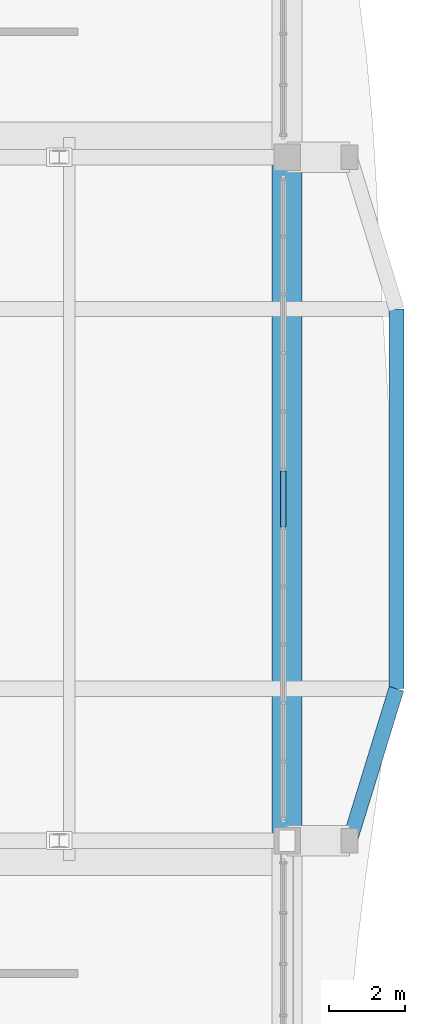
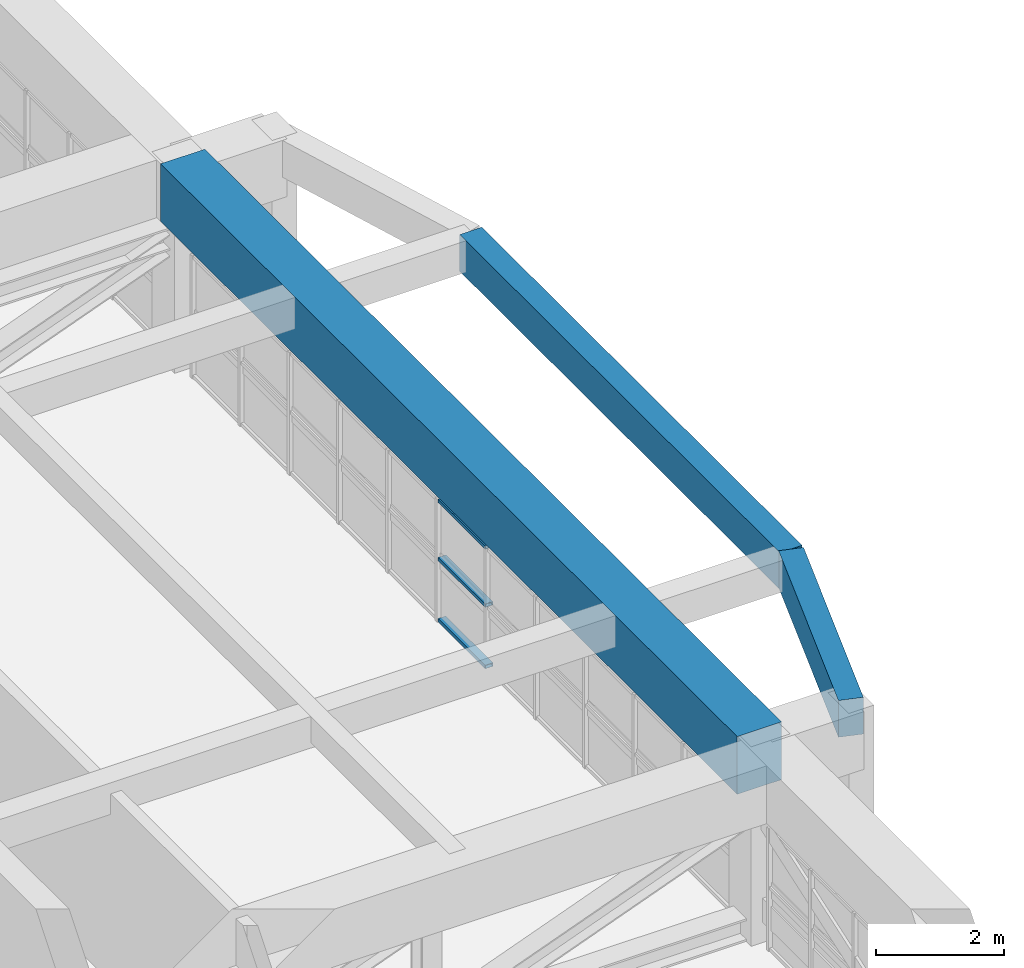
# One storey, part 13 of 25: 3 beams, 3 members, 1 element without a shape of its own.
"""IFC4 building model written with IfcOpenShell, lengths in metres."""

import ifcopenshell
import ifcopenshell.guid

model = None  # the IFC model being written
_history = None  # IfcOwnerHistory: only IFC2X3 demands one
_inside = {}  # id of a spatial element -> (the spatial element, [elements in it])
_under = {}  # id of a project, library or spatial element -> (it, [spatial elements below it])
_declared = {}  # id of a project -> (the project, [libraries it declares])
_typed = {}  # id of a type object -> (the type object, [elements of that type])
_made_of = {}  # id of a material, layer set ... -> (it, [elements and type objects made of it])


def new_model(schema):
    """Start an empty IFC model of exactly this schema.

    Asked for "IFC4X3", IfcOpenShell would pick the latest addendum, in which some entities
    have other attributes; the version numbers below select the first issue.
    IFC2X3 requires an IfcOwnerHistory on every rooted entity: one is made here for all.
    """
    global model, _history
    if schema == "IFC4X3":
        model = ifcopenshell.file(schema_version=(4, 3, 0, 0))
    else:
        model = ifcopenshell.file(schema=schema)
    _inside.clear()
    _under.clear()
    _declared.clear()
    _typed.clear()
    _made_of.clear()
    _history = None
    if model.schema == "IFC2X3":
        org = make("IfcOrganization", Name="unknown")
        user = make(
            "IfcPersonAndOrganization",
            ThePerson=make("IfcPerson", FamilyName="unknown"),
            TheOrganization=org,
        )
        app = make(
            "IfcApplication",
            ApplicationDeveloper=org,
            Version="unknown",
            ApplicationFullName="unknown",
            ApplicationIdentifier="unknown",
        )
        _history = make(
            "IfcOwnerHistory",
            OwningUser=user,
            OwningApplication=app,
            ChangeAction="ADDED",
            CreationDate=0,
        )
    return model


def make(cls, **values):
    """One entity of the class cls with the attributes given. An attribute that is None is left unset."""
    return model.create_entity(
        cls, **{name: value for name, value in values.items() if value is not None}
    )


def rooted(cls, **values):
    """An entity with a GlobalId (a new one), such as an element, a storey or a relation."""
    return make(cls, GlobalId=ifcopenshell.guid.new(), OwnerHistory=_history, **values)


def si_unit(unit_type, name, prefix=None):
    """IfcSIUnit, for example si_unit("LENGTHUNIT", "METRE", prefix="MILLI")."""
    return make("IfcSIUnit", UnitType=unit_type, Prefix=prefix, Name=name)


def assignment(units):
    """IfcUnitAssignment: the units of a project."""
    return None if units is None else make("IfcUnitAssignment", Units=units)


def point(xyz):
    """IfcCartesianPoint."""
    return None if xyz is None else make("IfcCartesianPoint", Coordinates=xyz)


def direction(xyz):
    """IfcDirection."""
    return None if xyz is None else make("IfcDirection", DirectionRatios=xyz)


def frame(location, z_axis=None, x_axis=None):
    """IfcAxis2Placement3D, a coordinate frame: its origin and axes. An axis left out is left unset."""
    return make(
        "IfcAxis2Placement3D",
        Location=point(location),
        Axis=direction(z_axis),
        RefDirection=direction(x_axis),
    )


def frame_2d(location, x_axis=None):
    """IfcAxis2Placement2D, a coordinate frame in the plane: its origin and x axis."""
    return make(
        "IfcAxis2Placement2D", Location=point(location), RefDirection=direction(x_axis)
    )


def origin():
    """The frame at (0, 0, 0) with its axes left unset."""
    return frame((0.0, 0.0, 0.0))


def origin_2d():
    """The frame at (0, 0) in the plane with its x axis left unset."""
    return frame_2d((0.0, 0.0))


def place(relative_to, where):
    """IfcLocalPlacement: puts the frame where relative to a parent placement (None: the world)."""
    return make(
        "IfcLocalPlacement", PlacementRelTo=relative_to, RelativePlacement=where
    )


def context(
    kind, dimensions, precision=None, world=None, true_north=None, identifier=None
):
    """IfcGeometricRepresentationContext, for example the 3D "Model" context."""
    return make(
        "IfcGeometricRepresentationContext",
        ContextIdentifier=identifier,
        ContextType=kind,
        CoordinateSpaceDimension=dimensions,
        Precision=precision,
        WorldCoordinateSystem=world,
        TrueNorth=true_north,
    )


def subcontext(parent, identifier, kind, view, scale=None):
    """IfcGeometricRepresentationSubContext, for example "Body" below "Model"."""
    return make(
        "IfcGeometricRepresentationSubContext",
        ContextIdentifier=identifier,
        ContextType=kind,
        ParentContext=parent,
        TargetScale=scale,
        TargetView=view,
    )


def project(units=None, contexts=None):
    """IfcProject with its units and contexts."""
    return rooted(
        "IfcProject",
        Name="project",
        RepresentationContexts=contexts,
        UnitsInContext=assignment(units),
    )


def spatial(cls, under=None, at=None, **own):
    """A site, building, storey or space (cls), placed at a placement, below another one or the project."""
    s = rooted(cls, ObjectPlacement=at, **own)
    if under is not None:
        _under.setdefault(under.id(), (under, []))[1].append(s)
    return s


def profile(cls, at=None, kind="AREA", **sizes):
    """A parametric profile (cls). Its sizes go by their IFC names, for example OverallWidth=200.0."""
    return make(cls, ProfileType=kind, Position=at, **sizes)


def rectangle(**sizes):
    """IfcRectangleProfileDef."""
    return profile("IfcRectangleProfileDef", **sizes)


def hollow_rectangle(**sizes):
    """IfcRectangleHollowProfileDef."""
    return profile("IfcRectangleHollowProfileDef", **sizes)


def extrude(swept, where, along, depth):
    """IfcExtrudedAreaSolid: the profile swept, set in the frame where, extruded along a direction by depth."""
    return make(
        "IfcExtrudedAreaSolid",
        SweptArea=swept,
        Position=where,
        ExtrudedDirection=direction(along),
        Depth=depth,
    )


def shape(context_of_items, identifier, shape_type, items):
    """IfcShapeRepresentation: the items that make up one representation, for example the "Body"."""
    return make(
        "IfcShapeRepresentation",
        ContextOfItems=context_of_items,
        RepresentationIdentifier=identifier,
        RepresentationType=shape_type,
        Items=items,
    )


def source(mapping_origin, context_of_items, identifier, shape_type, items):
    """IfcRepresentationMap: a shape defined once, which mapped items show again and again."""
    return make(
        "IfcRepresentationMap",
        MappingOrigin=mapping_origin,
        MappedRepresentation=shape(context_of_items, identifier, shape_type, items),
    )


def transform(
    local_origin,
    x_axis=None,
    y_axis=None,
    z_axis=None,
    scale=None,
    scale2=None,
    scale3=None,
    uniform=True,
):
    """IfcCartesianTransformationOperator3D, or its non-uniform kind. x_axis, y_axis, z_axis: its Axis1, 2, 3."""
    if uniform:
        return make(
            "IfcCartesianTransformationOperator3D",
            Axis1=direction(x_axis),
            Axis2=direction(y_axis),
            LocalOrigin=point(local_origin),
            Scale=scale,
            Axis3=direction(z_axis),
        )
    return make(
        "IfcCartesianTransformationOperator3DnonUniform",
        Axis1=direction(x_axis),
        Axis2=direction(y_axis),
        LocalOrigin=point(local_origin),
        Scale=scale,
        Axis3=direction(z_axis),
        Scale2=scale2,
        Scale3=scale3,
    )


def mapped(mapping_source, mapping_target):
    """IfcMappedItem: shows the shape of a source again, moved by a transform."""
    return make(
        "IfcMappedItem", MappingSource=mapping_source, MappingTarget=mapping_target
    )


def material(Name=None, Category=None):
    """IfcMaterial."""
    return make("IfcMaterial", Name=Name, Category=Category)


def layer(
    of_material, thickness, ventilated=None, Name=None, Category=None, Priority=None
):
    """IfcMaterialLayer: one layer of a wall or slab, of a material (None: an air gap)."""
    return make(
        "IfcMaterialLayer",
        Material=of_material,
        LayerThickness=thickness,
        IsVentilated=ventilated,
        Name=Name,
        Category=Category,
        Priority=Priority,
    )


def layer_set(layers, Name=None):
    """IfcMaterialLayerSet."""
    return make("IfcMaterialLayerSet", MaterialLayers=layers, LayerSetName=Name)


def material_profile(
    of_material, cross_section, Name=None, Category=None, Priority=None
):
    """IfcMaterialProfile: a cross section and its material."""
    return make(
        "IfcMaterialProfile",
        Name=Name,
        Material=of_material,
        Profile=cross_section,
        Priority=Priority,
        Category=Category,
    )


def profile_set(profiles, Name=None, composite=None):
    """IfcMaterialProfileSet."""
    return make(
        "IfcMaterialProfileSet",
        Name=Name,
        MaterialProfiles=profiles,
        CompositeProfile=composite,
    )


def made_of(thing, what):
    """Note that an element or type object is made of a material, layer set ...; save() writes the relation."""
    if what is not None:
        _made_of.setdefault(what.id(), (what, []))[1].append(thing)
    return thing


def type_object(cls, material=None, **own):
    """A type object (cls), such as IfcWallType, which elements share."""
    return made_of(rooted(cls, **own), material)


def element(
    cls,
    number,
    at=None,
    inside=None,
    cuts=None,
    type_object=None,
    material=None,
    context=None,
    identifier="Body",
    shape_type=None,
    held_by="IfcProductDefinitionShape",
    body=None,
    shapes=None,
    **own,
):
    """One element of the class cls, such as IfcWall. Its Tag is "e" and its number.

    at: its placement. inside: the storey or other place that contains it. cuts: it is an
    opening in that element (IfcRelVoidsElement). A single representation is given by context,
    identifier, shape_type and body (its items); several are given by shapes. held_by: the class
    of the entity that holds the representations. save() writes the other relations.
    """
    e = rooted(cls, Tag="e%d" % number, ObjectPlacement=at, **own)
    if body is not None:
        shapes = [shape(context, identifier, shape_type, body)]
    if shapes is not None:
        e.Representation = make(held_by, Representations=shapes)
    if inside is not None:
        _inside.setdefault(inside.id(), (inside, []))[1].append(e)
    if cuts is not None:
        rooted(
            "IfcRelVoidsElement", RelatingBuildingElement=cuts, RelatedOpeningElement=e
        )
    if type_object is not None:
        _typed.setdefault(type_object.id(), (type_object, []))[1].append(e)
    return made_of(e, material)


def aggregate(whole, parts):
    """IfcRelAggregates: a whole, such as a stair, and the parts it consists of."""
    return rooted("IfcRelAggregates", RelatingObject=whole, RelatedObjects=parts)


def save(model, path):
    """Write the relations noted so far, then the file.

    IfcRelAggregates (storeys below a building ...), IfcRelContainedInSpatialStructure (elements
    in a storey), IfcRelDefinesByType, IfcRelAssociatesMaterial and IfcRelDeclares: one each for
    every whole, place, type object, material and project.
    """
    for whole, parts in _under.values():
        aggregate(whole, parts)
    for where, things in _inside.values():
        rooted(
            "IfcRelContainedInSpatialStructure",
            RelatedElements=things,
            RelatingStructure=where,
        )
    for kind, things in _typed.values():
        rooted("IfcRelDefinesByType", RelatedObjects=things, RelatingType=kind)
    for what, things in _made_of.values():
        rooted("IfcRelAssociatesMaterial", RelatedObjects=things, RelatingMaterial=what)
    for by, libraries in _declared.values():
        rooted("IfcRelDeclares", RelatingContext=by, RelatedDefinitions=libraries)
    model.write(path)


model = new_model("IFC4")

# Units and contexts
model_context = context("Model", 3, precision=1e-05, world=origin(), true_north=direction((0.0, 1.0)))
body_context = subcontext(model_context, "Body", "Model", "MODEL_VIEW")
ifc_project = project(units=[si_unit("LENGTHUNIT", "METRE"), si_unit("AREAUNIT", "SQUARE_METRE"), si_unit("VOLUMEUNIT", "CUBIC_METRE"), si_unit("PLANEANGLEUNIT", "RADIAN"), si_unit("MASSUNIT", "GRAM", prefix="KILO")], contexts=[model_context])

# Site, building, storey
site_placement = place(None, origin())
site = spatial("IfcSite", under=ifc_project, at=site_placement, CompositionType="ELEMENT")
building_placement = place(site_placement, origin())
building = spatial("IfcBuilding", under=site, at=building_placement, Name="Saelheon Loggia Tower", CompositionType="ELEMENT")
storey_placement = place(building_placement, frame((0.0, 0.0, 206.5)))
storey = spatial("IfcBuildingStorey", under=building, at=storey_placement, Name="L64", CompositionType="ELEMENT", Elevation=206.5)

# Beams
ifc_material_1 = material(Name="Concrete C50/60", Category="concrete")
ifc_material_profile_1 = material_profile(ifc_material_1, rectangle(XDim=0.800048828125, YDim=1.10009765625, at=origin_2d()), Name="RC-800x1100")
ifc_profile_set_1 = profile_set([ifc_material_profile_1], Name="Concrete C50/60")
beam_type_1 = type_object("IfcBeamType", Name="Beam_PerimSetback_RC800x1100", PredefinedType="BEAM", material=ifc_profile_set_1)
shared_shape_1 = source(origin(), body_context, "Body", "SweptSolid", [
    extrude(rectangle(XDim=0.800048828125, YDim=1.10009765625, at=origin_2d()), origin(), (0.0, 0.0, 1.0), 18.0),
])
beam_1_placement = place(storey_placement, frame((56.5, 18.0, 3.25), z_axis=(0.0, 1.0, 0.0), x_axis=(-1.0, 0.0, 0.0)))
element("IfcBeam", 1, at=beam_1_placement, inside=storey, type_object=beam_type_1, Name="L64 Perimeter Frame Girder 06", PredefinedType="BEAM", context=body_context, shape_type="MappedRepresentation", body=[
    mapped(shared_shape_1, transform((0.0, 0.0, 0.0), scale=1.0)),
])
ifc_material_2 = material(Name="Precast Concrete C45/55", Category="concrete")
ifc_material_profile_2 = material_profile(ifc_material_2, rectangle(XDim=0.39990234375, YDim=0.699951171875, at=origin_2d()), Name="RC-400x700")
ifc_profile_set_2 = profile_set([ifc_material_profile_2], Name="Precast Concrete C45/55")
beam_type_2 = type_object("IfcBeamType", Name="Beam_LoggiaSpandrel_RC400x700", PredefinedType="SPANDREL", material=ifc_profile_set_2)
shared_shape_2 = source(origin(), body_context, "Body", "SweptSolid", [
    extrude(rectangle(XDim=0.39990234375, YDim=0.699951171875, at=origin_2d()), origin(), (0.0, 0.0, 1.0), 4.184814453125),
])
beam_2_placement = place(storey_placement, frame((58.14990234375, 18.0, 3.449951171875), z_axis=(0.293913664135, 0.955831971653, 0.0), x_axis=(-0.955831971653, 0.293913664135, 0.0)))
element("IfcBeam", 2, at=beam_2_placement, inside=storey, type_object=beam_type_2, Name="L64 Curved Loggia Spandrel E 1", PredefinedType="SPANDREL", context=body_context, shape_type="MappedRepresentation", body=[
    mapped(shared_shape_2, transform((0.0, 0.0, 0.0), scale=1.0)),
])
shared_shape_3 = source(origin(), body_context, "Body", "SweptSolid", [
    extrude(rectangle(XDim=0.39990234375, YDim=0.699951171875, at=origin_2d()), origin(), (0.0, 0.0, 1.0), 10.0),
])
beam_3_placement = place(storey_placement, frame((59.3798828125, 22.0, 3.449951171875), z_axis=(0.0, 1.0, 0.0), x_axis=(-1.0, 0.0, 0.0)))
element("IfcBeam", 3, at=beam_3_placement, inside=storey, type_object=beam_type_2, Name="L64 Curved Loggia Spandrel E 2", PredefinedType="SPANDREL", context=body_context, shape_type="MappedRepresentation", body=[
    mapped(shared_shape_3, transform((0.0, 0.0, 0.0), scale=1.0)),
])

# Curtain wall, members
ifc_material_3 = material(Name="Anodised Aluminium Acoustic Louvre Curtain Wall", Category="aluminium")
ifc_layer = layer(ifc_material_3, 0.179931640625)
ifc_layer_set = layer_set([ifc_layer], Name="Anodised Aluminium Acoustic Louvre Curtain Wall")
curtain_wall_type = type_object("IfcCurtainWallType", Name="CW_RefugeAcoustic", PredefinedType="NOTDEFINED", material=ifc_layer_set)
curtain_wall_placement = place(storey_placement, origin())
curtain_wall = element("IfcCurtainWall", 4, at=curtain_wall_placement, inside=storey, type_object=curtain_wall_type, Name="L64 E Refuge Acoustic Curtain Wall 2", PredefinedType="NOTDEFINED")
ifc_material_4 = material(Name="Anodised Aluminium 6063-T6", Category="aluminium")
ifc_material_profile_3 = material_profile(ifc_material_4, hollow_rectangle(XDim=0.06494140625, YDim=0.139892578125, WallThickness=0.00390625, at=origin_2d()), Name="RHS-140x65x4")
ifc_profile_set_3 = profile_set([ifc_material_profile_3], Name="Anodised Aluminium 6063-T6")
member_type = type_object("IfcMemberType", Name="CW_RefugeAcoustic_Transom", PredefinedType="USERDEFINED", material=ifc_profile_set_3)
shared_shape_4 = source(origin(), body_context, "Body", "SweptSolid", [
    extrude(hollow_rectangle(XDim=0.06494140625, YDim=0.139892578125, WallThickness=0.00390625, at=origin_2d()), origin(), (0.0, 0.0, 1.0), 1.47119140625),
])
member_1_placement = place(storey_placement, frame((56.39990234375, 26.264404296875, 0.032470703125), z_axis=(0.0, 1.0, 0.0), x_axis=(0.0, 0.0, 1.0)))
member_1 = element("IfcMember", 5, at=member_1_placement, type_object=member_type, Name="CW5 transom 6.1", ObjectType="TRANSOM", PredefinedType="USERDEFINED", context=body_context, shape_type="MappedRepresentation", body=[
    mapped(shared_shape_4, transform((0.0, 0.0, 0.0), scale=1.0)),
])
member_2_placement = place(storey_placement, frame((56.39990234375, 26.264404296875, 1.199951171875), z_axis=(0.0, 1.0, 0.0), x_axis=(0.0, 0.0, 1.0)))
member_2 = element("IfcMember", 6, at=member_2_placement, type_object=member_type, Name="CW5 transom 6.2", ObjectType="TRANSOM", PredefinedType="USERDEFINED", context=body_context, shape_type="MappedRepresentation", body=[
    mapped(shared_shape_4, transform((0.0, 0.0, 0.0), scale=1.0)),
])
member_3_placement = place(storey_placement, frame((56.39990234375, 26.264404296875, 2.3076171875), z_axis=(0.0, 1.0, 0.0), x_axis=(0.0, 0.0, 1.0)))
member_3 = element("IfcMember", 7, at=member_3_placement, type_object=member_type, Name="CW5 transom 6.3", ObjectType="TRANSOM", PredefinedType="USERDEFINED", context=body_context, shape_type="MappedRepresentation", body=[
    mapped(shared_shape_4, transform((0.0, 0.0, 0.0), scale=1.0)),
])
aggregate(curtain_wall, [member_1, member_2, member_3])

save(model, "model.ifc")
